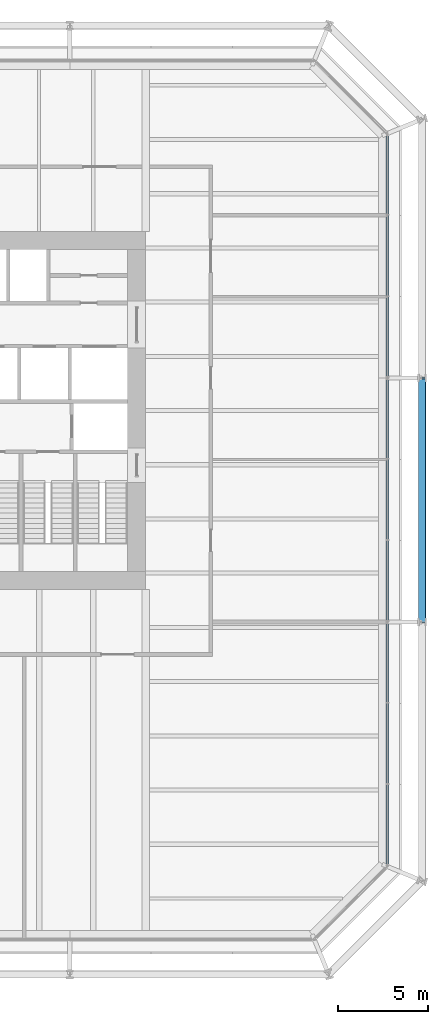
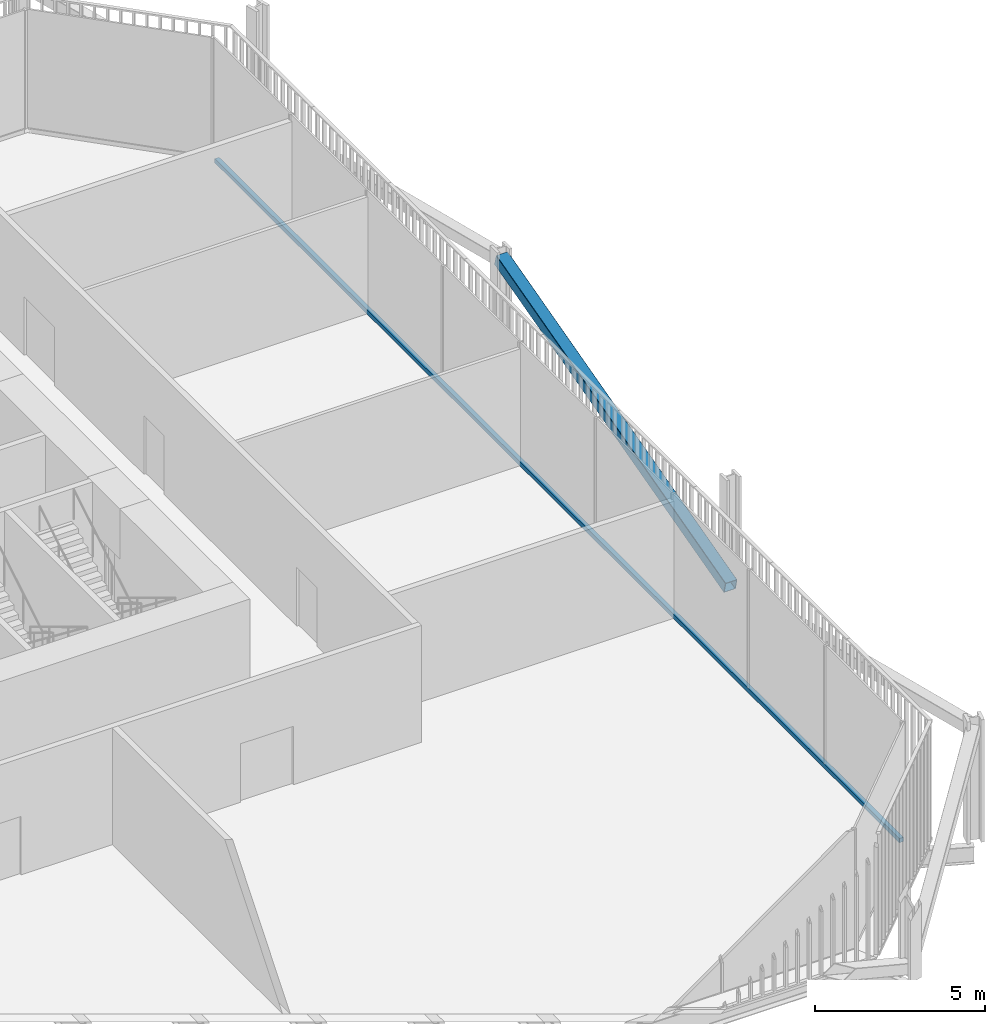
# One storey, part 9 of 21: 2 members, 1 element without a shape of its own.
"""IFC4 building model written with IfcOpenShell, lengths in metres."""

from ifc_helpers import new_model, si_unit, direction, frame, origin, origin_2d, place, context, subcontext, project, spatial, rectangle, hollow_rectangle, extrude, material, layer, layer_set, material_profile, profile_set, type_object, element, aggregate, save


model = new_model("IFC4")

# Units and contexts
model_context = context("Model", 3, precision=1e-05, world=origin(), true_north=direction((0.0, 1.0)))
body_context = subcontext(model_context, "Body", "Model", "MODEL_VIEW")
ifc_project = project(units=[si_unit("LENGTHUNIT", "METRE"), si_unit("AREAUNIT", "SQUARE_METRE"), si_unit("VOLUMEUNIT", "CUBIC_METRE"), si_unit("PLANEANGLEUNIT", "RADIAN"), si_unit("MASSUNIT", "GRAM", prefix="KILO")], contexts=[model_context])

# Site, building, storey
site_placement = place(None, origin())
site = spatial("IfcSite", under=ifc_project, at=site_placement, CompositionType="ELEMENT")
building_placement = place(site_placement, origin())
building = spatial("IfcBuilding", under=site, at=building_placement, Name="Millrace Tower", CompositionType="ELEMENT")
storey_placement = place(building_placement, frame((0.0, 0.0, 90.800048828125)))
storey = spatial("IfcBuildingStorey", under=building, at=storey_placement, Name="L20", CompositionType="ELEMENT", Elevation=90.800048828125)

# Curtain wall, member
ifc_material_1 = material(Name="Aluminium and glass", Category="aluminium")
ifc_layer = layer(ifc_material_1, 0.14990234375)
ifc_layer_set = layer_set([ifc_layer], Name="Aluminium and glass")
curtain_wall_type = type_object("IfcCurtainWallType", Name="CW-3 telecom floor curtain wall", PredefinedType="NOTDEFINED", material=ifc_layer_set)
curtain_wall_placement = place(storey_placement, origin())
curtain_wall = element("IfcCurtainWall", 1, at=curtain_wall_placement, inside=storey, type_object=curtain_wall_type, Name="Curtain wall B-F04 L20", PredefinedType="NOTDEFINED")
ifc_material_2 = material(Name="Aluminium", Category="aluminium")
ifc_material_profile_1 = material_profile(ifc_material_2, rectangle(XDim=0.14990234375, YDim=0.14990234375, at=origin_2d()))
ifc_profile_set_1 = profile_set([ifc_material_profile_1], Name="Aluminium")
member_type_1 = type_object("IfcMemberType", Name="CW-3 telecom floor curtain wall transom", PredefinedType="USERDEFINED", material=ifc_profile_set_1)
member_1_placement = place(storey_placement, frame((28.27490234375, -25.10009765625, 0.074951171875), z_axis=(0.0, 1.0, 0.0), x_axis=(-1.0, 0.0, 0.0)))
member_1 = element("IfcMember", 2, at=member_1_placement, type_object=member_type_1, Name="CW3 transom B-F04.1", ObjectType="TRANSOM", PredefinedType="USERDEFINED", context=body_context, shape_type="SweptSolid", body=[
    extrude(rectangle(XDim=0.14990234375, YDim=0.14990234375, at=origin_2d()), origin(), (0.0, 0.0, 1.0), 40.300048828125),
])
aggregate(curtain_wall, [member_1])

# Member
ifc_material_3 = material(Name="Steel ASTM A500 Grade C", Category="steel")
ifc_material_profile_2 = material_profile(ifc_material_3, hollow_rectangle(XDim=0.406494140625, YDim=0.406494140625, WallThickness=0.015869140625, InnerFilletRadius=0.008056640625, OuterFilletRadius=0.02392578125, at=origin_2d()))
ifc_profile_set_2 = profile_set([ifc_material_profile_2], Name="Steel ASTM A500 Grade C")
member_type_2 = type_object("IfcMemberType", Name="Exoskeleton brace HSS16x16x5/8", PredefinedType="BRACE", material=ifc_profile_set_2)
member_2_placement = place(storey_placement, frame((30.199951171875, -11.699951171875, 0.39990234375), z_axis=(0.0, 0.966233199446, 0.257669176053), x_axis=(-1.0, 0.0, 0.0)))
element("IfcMember", 3, at=member_2_placement, inside=storey, type_object=member_type_2, Name="BRC-B-L20-07", PredefinedType="BRACE", context=body_context, shape_type="SweptSolid", body=[
    extrude(hollow_rectangle(XDim=0.406494140625, YDim=0.406494140625, WallThickness=0.015869140625, InnerFilletRadius=0.008056640625, OuterFilletRadius=0.02392578125, at=origin_2d()), origin(), (0.0, 0.0, 1.0), 13.9716796875),
])

save(model, "model.ifc")
